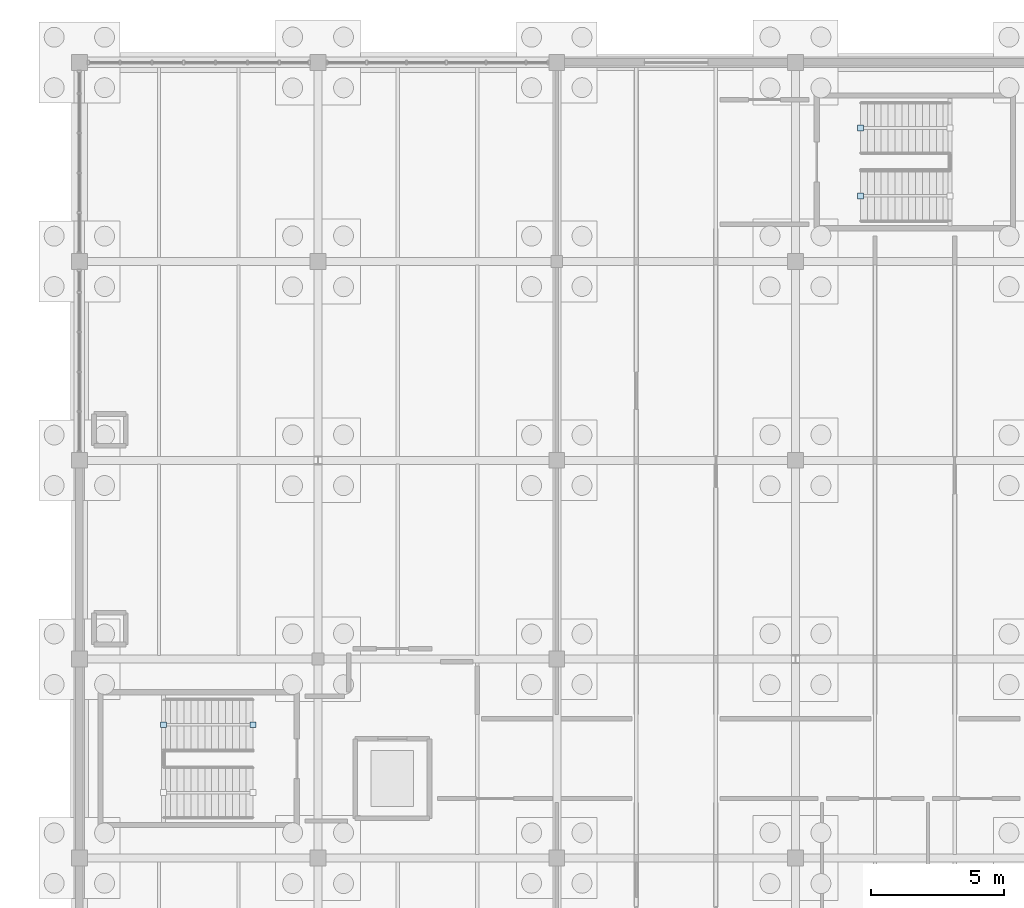
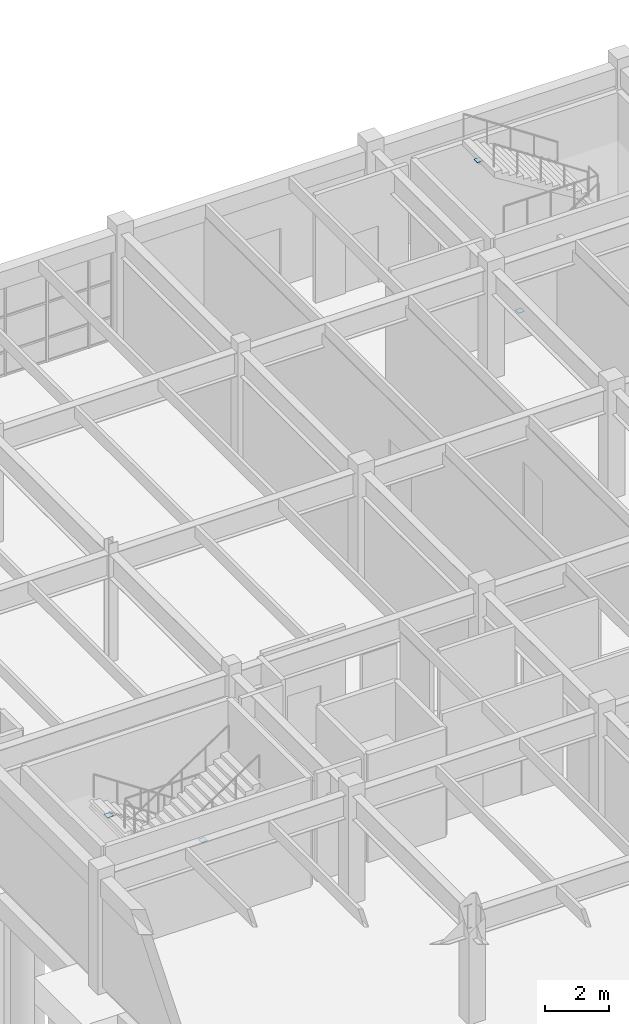
# One storey, part 68 of 93: 4 plates.
"""IFC4 building model written with IfcOpenShell, lengths in metres."""

from ifc_helpers import new_model, si_unit, direction, frame, origin, origin_2d, place, context, subcontext, project, spatial, rectangle, extrude, material, layer, layer_set, type_object, element, save


model = new_model("IFC4")

# Units and contexts
model_context = context("Model", 3, precision=1e-05, world=origin(), true_north=direction((0.0, 1.0)))
body_context = subcontext(model_context, "Body", "Model", "MODEL_VIEW")
ifc_project = project(units=[si_unit("LENGTHUNIT", "METRE"), si_unit("AREAUNIT", "SQUARE_METRE"), si_unit("VOLUMEUNIT", "CUBIC_METRE"), si_unit("PLANEANGLEUNIT", "RADIAN"), si_unit("MASSUNIT", "GRAM", prefix="KILO")], contexts=[model_context])

# Site, building, storey
site_placement = place(None, origin())
site = spatial("IfcSite", under=ifc_project, at=site_placement, CompositionType="ELEMENT")
building_placement = place(site_placement, origin())
building = spatial("IfcBuilding", under=site, at=building_placement, Name="Marnridge Secondary College", CompositionType="ELEMENT")
storey_placement = place(building_placement, origin())
storey = spatial("IfcBuildingStorey", under=building, at=storey_placement, Name="L00", CompositionType="ELEMENT", Elevation=0.0)

# Plates
ifc_material = material(Name="Structural steel plate Grade 350 (AS/NZS 3678, fy = 350 MPa <=12mm, 340 MPa 12-20mm, 330 MPa 20-50mm)", Category="steel")
ifc_layer = layer(ifc_material, 0.010009765625)
ifc_layer_set = layer_set([ifc_layer], Name="PT-CAP-INT")
plate_type = type_object("IfcPlateType", Name="PT-CAP-INT", PredefinedType="SHEET", material=ifc_layer_set)
for number, where, z_axis, x_axis, name in (
    (1, (6.54833984375, 95.030029296875, 0.01123046875), (0.0, 0.0, 1.0), (-1.0, 0.0, 0.0), "Tube end cap STR-037-EC1"),
    (2, (3.171630859375, 95.030029296875, 2.1357421875), (0.0, 0.0, 1.0), (-1.0, 0.0, 0.0), "Tube end cap STR-037-EC2"),
    (3, (29.45166015625, 114.969970703125, 0.01123046875), (0.0, 0.0, 1.0), (1.0, 0.0, 0.0), "Tube end cap STR-043-EC1"),
    (4, (29.45166015625, 117.530029296875, 4.18603515625), (0.0, 0.0, 1.0), (-1.0, 0.0, 0.0), "Tube end cap STR-044-EC2"),
):
    element("IfcPlate", number, at=place(storey_placement, frame(where, z_axis=z_axis, x_axis=x_axis)), inside=storey, type_object=plate_type, Name=name, PredefinedType="SHEET", context=body_context, shape_type="SweptSolid", body=[
        extrude(rectangle(XDim=0.219970703125, YDim=0.219970703125, at=origin_2d()), origin(), (0.0, 0.0, 1.0), 0.010009765625),
    ])

save(model, "model.ifc")
